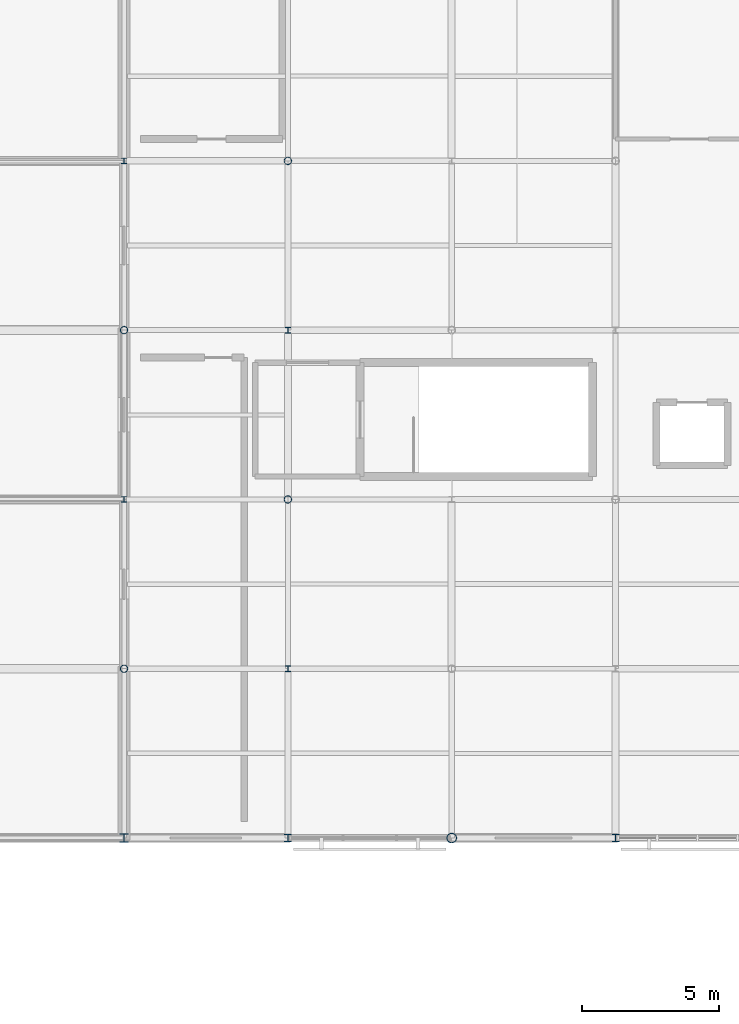
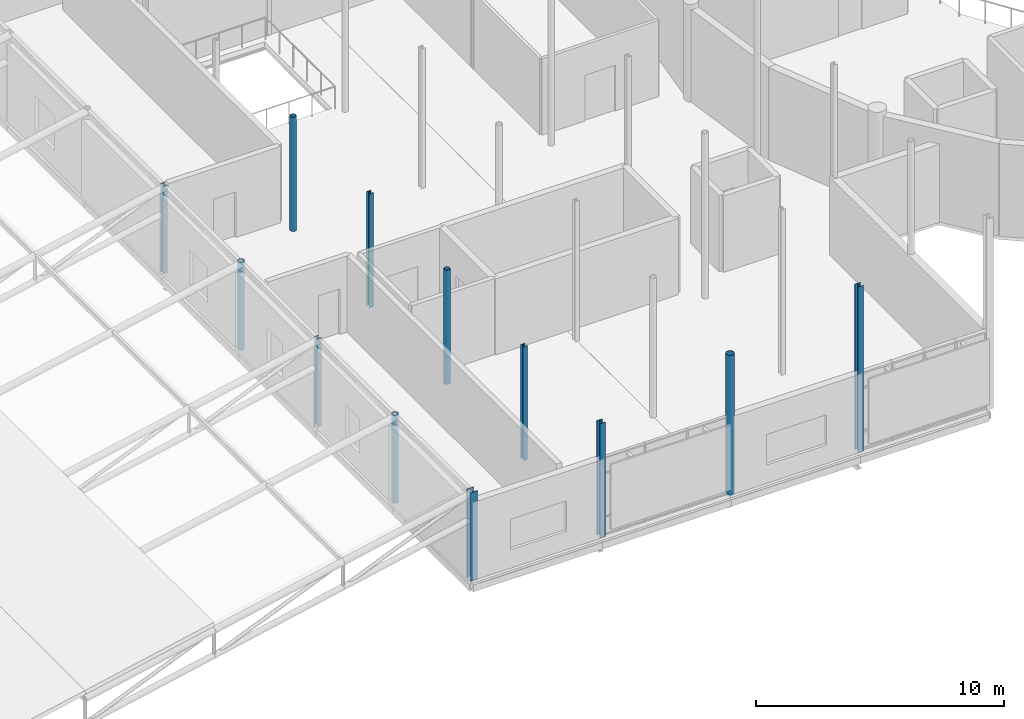
# One storey, part 1 of 66: 12 columns.
"""IFC4 building model written with IfcOpenShell, lengths in metres."""

from ifc_helpers import new_model, si_unit, direction, frame, origin, origin_2d, place, context, subcontext, project, spatial, hollow_circle, i_section, extrude, material, material_profile, profile_set, type_object, element, save


model = new_model("IFC4")

# Units and contexts
model_context = context("Model", 3, precision=1e-05, world=origin(), true_north=direction((0.0, 1.0)))
body_context = subcontext(model_context, "Body", "Model", "MODEL_VIEW")
ifc_project = project(units=[si_unit("LENGTHUNIT", "METRE"), si_unit("AREAUNIT", "SQUARE_METRE"), si_unit("VOLUMEUNIT", "CUBIC_METRE"), si_unit("PLANEANGLEUNIT", "RADIAN"), si_unit("MASSUNIT", "GRAM", prefix="KILO")], contexts=[model_context])

# Site, building, storey
site_placement = place(None, origin())
site = spatial("IfcSite", under=ifc_project, at=site_placement, CompositionType="ELEMENT")
building_placement = place(site_placement, origin())
building = spatial("IfcBuilding", under=site, at=building_placement, Name="Mirzam Square Science Centre", CompositionType="ELEMENT")
storey_placement = place(building_placement, frame((0.0, 0.0, 15.60009765625)))
storey = spatial("IfcBuildingStorey", under=building, at=storey_placement, Name="L03", CompositionType="ELEMENT", Elevation=15.60009765625)

# Columns
ifc_material = material(Name="Steel S355", Category="steel")
ifc_material_profile_1 = material_profile(ifc_material, hollow_circle(Radius=0.136474609375, WallThickness=0.010009765625, at=origin_2d()), Name="273.0x10.0CHS")
ifc_profile_set_1 = profile_set([ifc_material_profile_1], Name="Steel S355")
column_type_1 = type_object("IfcColumnType", Name="COL-CHS273", PredefinedType="COLUMN", material=ifc_profile_set_1)
for number, where, z_axis, x_axis, name in (
    (1, (36.0, 43.39990234375, 0.0), (0.0, 0.0, 1.0), (1.0, 0.0, 0.0), "L03 column G07-08"),
    (2, (36.0, 55.800048828125, 0.0), (0.0, 0.0, 1.0), (1.0, 0.0, 0.0), "L03 column G07-10"),
):
    element("IfcColumn", number, at=place(storey_placement, frame(where, z_axis=z_axis, x_axis=x_axis)), inside=storey, type_object=column_type_1, Name=name, PredefinedType="COLUMN", context=body_context, shape_type="SweptSolid", body=[
        extrude(hollow_circle(Radius=0.136474609375, WallThickness=0.010009765625, at=origin_2d()), origin(), (0.0, 0.0, 1.0), 4.349853515625),
    ])
for number, where, z_axis, x_axis, name in (
    (3, (42.0, 49.60009765625, 0.0), (0.0, 0.0, 1.0), (1.0, 0.0, 0.0), "L03 column G08-09"),
    (4, (42.0, 62.0, 0.0), (0.0, 0.0, 1.0), (1.0, 0.0, 0.0), "L03 column G08-11"),
):
    element("IfcColumn", number, at=place(storey_placement, frame(where, z_axis=z_axis, x_axis=x_axis)), inside=storey, type_object=column_type_1, Name=name, PredefinedType="COLUMN", context=body_context, shape_type="SweptSolid", body=[
        extrude(hollow_circle(Radius=0.136474609375, WallThickness=0.010009765625, at=origin_2d()), origin(), (0.0, 0.0, 1.0), 5.60986328125),
    ])
ifc_material_profile_2 = material_profile(ifc_material, hollow_circle(Radius=0.177734375, WallThickness=0.012451171875, at=origin_2d()), Name="355.6x12.5CHS")
ifc_profile_set_2 = profile_set([ifc_material_profile_2], Name="Steel S355")
column_type_2 = type_object("IfcColumnType", Name="COL-CHS355", PredefinedType="COLUMN", material=ifc_profile_set_2)
column_1_placement = place(storey_placement, frame((48.0, 37.199951171875, 0.0), z_axis=(0.0, 0.0, 1.0), x_axis=(1.0, 0.0, 0.0)))
element("IfcColumn", 5, at=column_1_placement, inside=storey, type_object=column_type_2, Name="L03 column G09-07", PredefinedType="COLUMN", context=body_context, shape_type="SweptSolid", body=[
    extrude(hollow_circle(Radius=0.177734375, WallThickness=0.012451171875, at=origin_2d()), origin(), (0.0, 0.0, 1.0), 6.869873046875),
])
ifc_material_profile_3 = material_profile(ifc_material, i_section(OverallWidth=0.205810546875, OverallDepth=0.209716796875, WebThickness=0.009521484375, FlangeThickness=0.01416015625, FilletRadius=0.01025390625, at=origin_2d()), Name="203x203x60UC")
ifc_profile_set_3 = profile_set([ifc_material_profile_3], Name="Steel S355")
column_type_3 = type_object("IfcColumnType", Name="COL-UC203A", PredefinedType="COLUMN", material=ifc_profile_set_3)
for number, where, z_axis, x_axis, name in (
    (6, (36.0, 49.60009765625, 0.0), (0.0, 0.0, 1.0), (1.0, 0.0, 0.0), "L03 column G07-09"),
    (7, (36.0, 62.0, 0.0), (0.0, 0.0, 1.0), (1.0, 0.0, 0.0), "L03 column G07-11"),
):
    element("IfcColumn", number, at=place(storey_placement, frame(where, z_axis=z_axis, x_axis=x_axis)), inside=storey, type_object=column_type_3, Name=name, PredefinedType="COLUMN", context=body_context, shape_type="SweptSolid", body=[
        extrude(i_section(OverallWidth=0.205810546875, OverallDepth=0.209716796875, WebThickness=0.009521484375, FlangeThickness=0.01416015625, FilletRadius=0.01025390625, at=origin_2d()), origin(), (0.0, 0.0, 1.0), 4.349853515625),
    ])
for number, where, z_axis, x_axis, name in (
    (8, (42.0, 43.39990234375, 0.0), (0.0, 0.0, 1.0), (1.0, 0.0, 0.0), "L03 column G08-08"),
    (9, (42.0, 55.800048828125, 0.0), (0.0, 0.0, 1.0), (1.0, 0.0, 0.0), "L03 column G08-10"),
):
    element("IfcColumn", number, at=place(storey_placement, frame(where, z_axis=z_axis, x_axis=x_axis)), inside=storey, type_object=column_type_3, Name=name, PredefinedType="COLUMN", context=body_context, shape_type="SweptSolid", body=[
        extrude(i_section(OverallWidth=0.205810546875, OverallDepth=0.209716796875, WebThickness=0.009521484375, FlangeThickness=0.01416015625, FilletRadius=0.01025390625, at=origin_2d()), origin(), (0.0, 0.0, 1.0), 5.60986328125),
    ])
ifc_material_profile_4 = material_profile(ifc_material, i_section(OverallWidth=0.25634765625, OverallDepth=0.26025390625, WebThickness=0.01025390625, FlangeThickness=0.017333984375, FilletRadius=0.0126953125, at=origin_2d()), Name="254x254x89UC")
ifc_profile_set_4 = profile_set([ifc_material_profile_4], Name="Steel S355")
column_type_4 = type_object("IfcColumnType", Name="COL-UC254A", PredefinedType="COLUMN", material=ifc_profile_set_4)
column_2_placement = place(storey_placement, frame((54.0, 37.199951171875, 0.0), z_axis=(0.0, 0.0, 1.0), x_axis=(1.0, 0.0, 0.0)))
element("IfcColumn", 10, at=column_2_placement, inside=storey, type_object=column_type_4, Name="L03 column G10-07", PredefinedType="COLUMN", context=body_context, shape_type="SweptSolid", body=[
    extrude(i_section(OverallWidth=0.25634765625, OverallDepth=0.26025390625, WebThickness=0.01025390625, FlangeThickness=0.017333984375, FilletRadius=0.0126953125, at=origin_2d()), origin(), (0.0, 0.0, 1.0), 8.1298828125),
])
ifc_material_profile_5 = material_profile(ifc_material, i_section(OverallWidth=0.26123046875, OverallDepth=0.2763671875, WebThickness=0.015380859375, FlangeThickness=0.025390625, FilletRadius=0.0126953125, at=origin_2d()), Name="254x254x132UC")
ifc_profile_set_5 = profile_set([ifc_material_profile_5], Name="Steel S355")
column_type_5 = type_object("IfcColumnType", Name="COL-UC254B", PredefinedType="COLUMN", material=ifc_profile_set_5)
column_3_placement = place(storey_placement, frame((42.0, 37.199951171875, 0.0), z_axis=(0.0, 0.0, 1.0), x_axis=(1.0, 0.0, 0.0)))
element("IfcColumn", 11, at=column_3_placement, inside=storey, type_object=column_type_5, Name="L03 column G08-07", PredefinedType="COLUMN", context=body_context, shape_type="SweptSolid", body=[
    extrude(i_section(OverallWidth=0.26123046875, OverallDepth=0.2763671875, WebThickness=0.015380859375, FlangeThickness=0.025390625, FilletRadius=0.0126953125, at=origin_2d()), origin(), (0.0, 0.0, 1.0), 5.60986328125),
])
ifc_material_profile_6 = material_profile(ifc_material, i_section(OverallWidth=0.30908203125, OverallDepth=0.320556640625, WebThickness=0.013916015625, FlangeThickness=0.021728515625, FilletRadius=0.01513671875, at=origin_2d()), Name="305x305x137UC")
ifc_profile_set_6 = profile_set([ifc_material_profile_6], Name="Steel S355")
column_type_6 = type_object("IfcColumnType", Name="COL-UC305A", PredefinedType="COLUMN", material=ifc_profile_set_6)
column_4_placement = place(storey_placement, frame((36.0, 37.199951171875, 0.0), z_axis=(0.0, 0.0, 1.0), x_axis=(1.0, 0.0, 0.0)))
element("IfcColumn", 12, at=column_4_placement, inside=storey, type_object=column_type_6, Name="L03 column G07-07", PredefinedType="COLUMN", context=body_context, shape_type="SweptSolid", body=[
    extrude(i_section(OverallWidth=0.30908203125, OverallDepth=0.320556640625, WebThickness=0.013916015625, FlangeThickness=0.021728515625, FilletRadius=0.01513671875, at=origin_2d()), origin(), (0.0, 0.0, 1.0), 4.349853515625),
])

save(model, "model.ifc")
